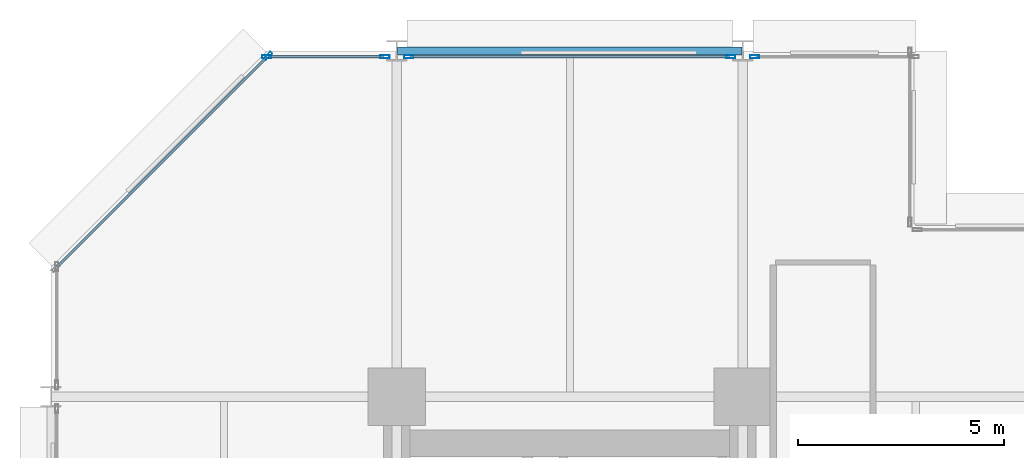
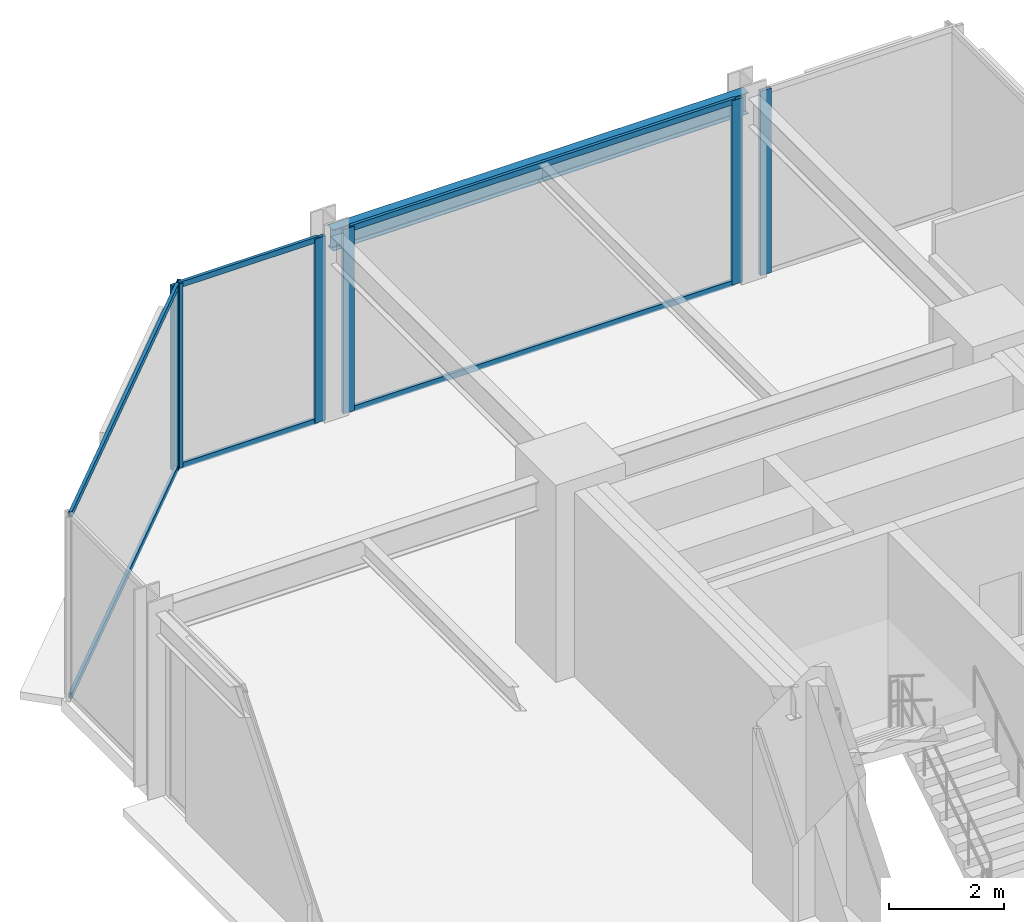
# One storey, part 17 of 25: 12 members, 1 beam, 4 elements without a shape of their own.
"""IFC4 building model written with IfcOpenShell, lengths in metres."""

from ifc_helpers import new_model, si_unit, direction, frame, origin, origin_2d, place, context, subcontext, project, spatial, hollow_rectangle, i_section, extrude, material, layer, layer_set, material_profile, profile_set, type_object, element, aggregate, save


model = new_model("IFC4")

# Units and contexts
model_context = context("Model", 3, precision=1e-05, world=origin(), true_north=direction((0.0, 1.0)))
body_context = subcontext(model_context, "Body", "Model", "MODEL_VIEW")
ifc_project = project(units=[si_unit("LENGTHUNIT", "METRE"), si_unit("AREAUNIT", "SQUARE_METRE"), si_unit("VOLUMEUNIT", "CUBIC_METRE"), si_unit("PLANEANGLEUNIT", "RADIAN"), si_unit("MASSUNIT", "GRAM", prefix="KILO")], contexts=[model_context])

# Site, building, storey
site_placement = place(None, origin())
site = spatial("IfcSite", under=ifc_project, at=site_placement, CompositionType="ELEMENT")
building_placement = place(site_placement, origin())
building = spatial("IfcBuilding", under=site, at=building_placement, Name="Nerrivon Quay Data Exchange", CompositionType="ELEMENT")
storey_placement = place(building_placement, frame((0.0, 0.0, 24.800048828125)))
storey = spatial("IfcBuildingStorey", under=building, at=storey_placement, Name="L05", CompositionType="ELEMENT", Elevation=24.800048828125)

# Beam
ifc_material_1 = material(Name="Steel Grade 350", Category="steel")
ifc_material_profile_1 = material_profile(ifc_material_1, i_section(OverallWidth=0.18994140625, OverallDepth=0.4541015625, WebThickness=0.008544921875, FlangeThickness=0.0126953125, FilletRadius=0.011474609375, at=origin_2d()), Name="460UB67.1")
ifc_profile_set_1 = profile_set([ifc_material_profile_1], Name="Steel Grade 350")
beam_type = type_object("IfcBeamType", Name="BM-SP1-460UB67", PredefinedType="SPANDREL", material=ifc_profile_set_1)
beam_placement = place(storey_placement, frame((8.4140625, 50.39990234375, 3.697998046875), z_axis=(1.0, 0.0, 0.0), x_axis=(0.0, 1.0, 0.0)))
element("IfcBeam", 1, at=beam_placement, inside=storey, type_object=beam_type, Name="L05 EW Girder Y=50.4 (8.4..16.8)", PredefinedType="SPANDREL", context=body_context, shape_type="SweptSolid", body=[
    extrude(i_section(OverallWidth=0.18994140625, OverallDepth=0.4541015625, WebThickness=0.008544921875, FlangeThickness=0.0126953125, FilletRadius=0.011474609375, at=origin_2d()), origin(), (0.0, 0.0, 1.0), 8.371826171875),
])

# Curtain wall, member
ifc_material_2 = material(Name="Anodised aluminium 6063-T6", Category="aluminium")
ifc_layer = layer(ifc_material_2, 0.219970703125)
ifc_layer_set = layer_set([ifc_layer], Name="Anodised aluminium 6063-T6")
curtain_wall_type = type_object("IfcCurtainWallType", Name="CW-SYS-01", PredefinedType="NOTDEFINED", material=ifc_layer_set)
curtain_wall_1_placement = place(storey_placement, origin())
curtain_wall_1 = element("IfcCurtainWall", 2, at=curtain_wall_1_placement, inside=storey, type_object=curtain_wall_type, Name="L05 Unitised Curtain Wall 19", PredefinedType="NOTDEFINED")
ifc_material_profile_2 = material_profile(ifc_material_2, hollow_rectangle(XDim=0.074951171875, YDim=0.219970703125, WallThickness=0.00390625, at=origin_2d()), Name="ALU-MULL-220x75")
ifc_profile_set_2 = profile_set([ifc_material_profile_2], Name="Anodised aluminium 6063-T6")
member_type_1 = type_object("IfcMemberType", Name="CWM-220x75", PredefinedType="MULLION", material=ifc_profile_set_2)
member_1_placement = place(storey_placement, frame((5.2724609375, 50.2744140625, 0.0), z_axis=(0.0, 0.0, 1.0), x_axis=(-0.707106781187, 0.707106781187, 0.0)))
member_1 = element("IfcMember", 3, at=member_1_placement, type_object=member_type_1, Name="CW01 mullion 2", PredefinedType="MULLION", context=body_context, shape_type="SweptSolid", body=[
    extrude(hollow_rectangle(XDim=0.074951171875, YDim=0.219970703125, WallThickness=0.00390625, at=origin_2d()), origin(), (0.0, 0.0, 1.0), 3.925048828125),
])

# Curtain wall, members
curtain_wall_2_placement = place(storey_placement, origin())
curtain_wall_2 = element("IfcCurtainWall", 4, at=curtain_wall_2_placement, inside=storey, type_object=curtain_wall_type, Name="L05 Unitised Curtain Wall 20", PredefinedType="NOTDEFINED")
member_2_placement = place(storey_placement, frame((5.237548828125, 50.260009765625, 0.0), z_axis=(0.0, 0.0, 1.0), x_axis=(0.0, 1.0, 0.0)))
member_2 = element("IfcMember", 5, at=member_2_placement, type_object=member_type_1, Name="CW01 mullion 1", PredefinedType="MULLION", context=body_context, shape_type="SweptSolid", body=[
    extrude(hollow_rectangle(XDim=0.074951171875, YDim=0.219970703125, WallThickness=0.00390625, at=origin_2d()), origin(), (0.0, 0.0, 1.0), 3.925048828125),
])
member_3_placement = place(storey_placement, frame((8.112548828125, 50.260009765625, 0.0), z_axis=(0.0, 0.0, 1.0), x_axis=(0.0, 1.0, 0.0)))
member_3 = element("IfcMember", 6, at=member_3_placement, type_object=member_type_1, Name="CW01 mullion 2", PredefinedType="MULLION", context=body_context, shape_type="SweptSolid", body=[
    extrude(hollow_rectangle(XDim=0.074951171875, YDim=0.219970703125, WallThickness=0.00390625, at=origin_2d()), origin(), (0.0, 0.0, 1.0), 3.925048828125),
])

curtain_wall_3_placement = place(storey_placement, origin())
curtain_wall_3 = element("IfcCurtainWall", 7, at=curtain_wall_3_placement, inside=storey, type_object=curtain_wall_type, Name="L05 Unitised Curtain Wall 21", PredefinedType="NOTDEFINED")
member_4_placement = place(storey_placement, frame((8.6875, 50.260009765625, 0.0), z_axis=(0.0, 0.0, 1.0), x_axis=(0.0, 1.0, 0.0)))
member_4 = element("IfcMember", 8, at=member_4_placement, type_object=member_type_1, Name="CW01 mullion 1", PredefinedType="MULLION", context=body_context, shape_type="SweptSolid", body=[
    extrude(hollow_rectangle(XDim=0.074951171875, YDim=0.219970703125, WallThickness=0.00390625, at=origin_2d()), origin(), (0.0, 0.0, 1.0), 3.925048828125),
])
member_5_placement = place(storey_placement, frame((16.512451171875, 50.260009765625, 0.0), z_axis=(0.0, 0.0, 1.0), x_axis=(0.0, 1.0, 0.0)))
member_5 = element("IfcMember", 9, at=member_5_placement, type_object=member_type_1, Name="CW01 mullion 2", PredefinedType="MULLION", context=body_context, shape_type="SweptSolid", body=[
    extrude(hollow_rectangle(XDim=0.074951171875, YDim=0.219970703125, WallThickness=0.00390625, at=origin_2d()), origin(), (0.0, 0.0, 1.0), 3.925048828125),
])

# Curtain wall, member
curtain_wall_4_placement = place(storey_placement, origin())
curtain_wall_4 = element("IfcCurtainWall", 10, at=curtain_wall_4_placement, inside=storey, type_object=curtain_wall_type, Name="L05 Unitised Curtain Wall 22", PredefinedType="NOTDEFINED")
member_6_placement = place(storey_placement, frame((17.08740234375, 50.260009765625, 0.0), z_axis=(0.0, 0.0, 1.0), x_axis=(0.0, 1.0, 0.0)))
member_6 = element("IfcMember", 11, at=member_6_placement, type_object=member_type_1, Name="CW01 mullion 1", PredefinedType="MULLION", context=body_context, shape_type="SweptSolid", body=[
    extrude(hollow_rectangle(XDim=0.074951171875, YDim=0.219970703125, WallThickness=0.00390625, at=origin_2d()), origin(), (0.0, 0.0, 1.0), 3.925048828125),
])
aggregate(curtain_wall_4, [member_6])

# Member
ifc_material_profile_3 = material_profile(ifc_material_2, hollow_rectangle(XDim=0.06005859375, YDim=0.1201171875, WallThickness=0.003173828125, at=origin_2d()), Name="ALU-TRAN-120x60")
ifc_profile_set_3 = profile_set([ifc_material_profile_3], Name="Anodised aluminium 6063-T6")
member_type_2 = type_object("IfcMemberType", Name="CWT-120x60", PredefinedType="USERDEFINED", material=ifc_profile_set_3)
member_7_placement = place(storey_placement, frame((0.152099609375, 45.154052734375, 0.032470703125), z_axis=(0.707089835771, 0.707123726196, 0.0), x_axis=(-0.707123726196, 0.707089835771, 0.0)))
member_7 = element("IfcMember", 12, at=member_7_placement, type_object=member_type_2, Name="CW01 transom 1.1", ObjectType="TRANSOM", PredefinedType="USERDEFINED", context=body_context, shape_type="SweptSolid", body=[
    extrude(hollow_rectangle(XDim=0.06005859375, YDim=0.1201171875, WallThickness=0.003173828125, at=origin_2d()), origin(), (0.0, 0.0, 1.0), 7.203857421875),
])

member_8_placement = place(storey_placement, frame((0.152099609375, 45.154052734375, 3.892333984375), z_axis=(0.707089835771, 0.707123726196, 0.0), x_axis=(-0.707123726196, 0.707089835771, 0.0)))
member_8 = element("IfcMember", 13, at=member_8_placement, type_object=member_type_2, Name="CW01 transom 1.2", ObjectType="TRANSOM", PredefinedType="USERDEFINED", context=body_context, shape_type="SweptSolid", body=[
    extrude(hollow_rectangle(XDim=0.06005859375, YDim=0.1201171875, WallThickness=0.003173828125, at=origin_2d()), origin(), (0.0, 0.0, 1.0), 7.203857421875),
])

aggregate(curtain_wall_1, [member_1, member_7, member_8])

member_9_placement = place(storey_placement, frame((5.27490234375, 50.260009765625, 0.032470703125), z_axis=(1.0, 0.0, 0.0), x_axis=(0.0, 1.0, 0.0)))
member_9 = element("IfcMember", 14, at=member_9_placement, type_object=member_type_2, Name="CW01 transom 1.1", ObjectType="TRANSOM", PredefinedType="USERDEFINED", context=body_context, shape_type="SweptSolid", body=[
    extrude(hollow_rectangle(XDim=0.06005859375, YDim=0.1201171875, WallThickness=0.003173828125, at=origin_2d()), origin(), (0.0, 0.0, 1.0), 2.800048828125),
])

member_10_placement = place(storey_placement, frame((5.27490234375, 50.260009765625, 3.892333984375), z_axis=(1.0, 0.0, 0.0), x_axis=(0.0, 1.0, 0.0)))
member_10 = element("IfcMember", 15, at=member_10_placement, type_object=member_type_2, Name="CW01 transom 1.2", ObjectType="TRANSOM", PredefinedType="USERDEFINED", context=body_context, shape_type="SweptSolid", body=[
    extrude(hollow_rectangle(XDim=0.06005859375, YDim=0.1201171875, WallThickness=0.003173828125, at=origin_2d()), origin(), (0.0, 0.0, 1.0), 2.800048828125),
])

aggregate(curtain_wall_2, [member_2, member_3, member_9, member_10])

member_11_placement = place(storey_placement, frame((8.72509765625, 50.260009765625, 0.032470703125), z_axis=(1.0, 0.0, 0.0), x_axis=(0.0, 1.0, 0.0)))
member_11 = element("IfcMember", 16, at=member_11_placement, type_object=member_type_2, Name="CW01 transom 1.1", ObjectType="TRANSOM", PredefinedType="USERDEFINED", context=body_context, shape_type="SweptSolid", body=[
    extrude(hollow_rectangle(XDim=0.06005859375, YDim=0.1201171875, WallThickness=0.003173828125, at=origin_2d()), origin(), (0.0, 0.0, 1.0), 7.75),
])

member_12_placement = place(storey_placement, frame((8.72509765625, 50.260009765625, 3.892333984375), z_axis=(1.0, 0.0, 0.0), x_axis=(0.0, 1.0, 0.0)))
member_12 = element("IfcMember", 17, at=member_12_placement, type_object=member_type_2, Name="CW01 transom 1.2", ObjectType="TRANSOM", PredefinedType="USERDEFINED", context=body_context, shape_type="SweptSolid", body=[
    extrude(hollow_rectangle(XDim=0.06005859375, YDim=0.1201171875, WallThickness=0.003173828125, at=origin_2d()), origin(), (0.0, 0.0, 1.0), 7.75),
])

aggregate(curtain_wall_3, [member_4, member_5, member_11, member_12])

save(model, "model.ifc")
